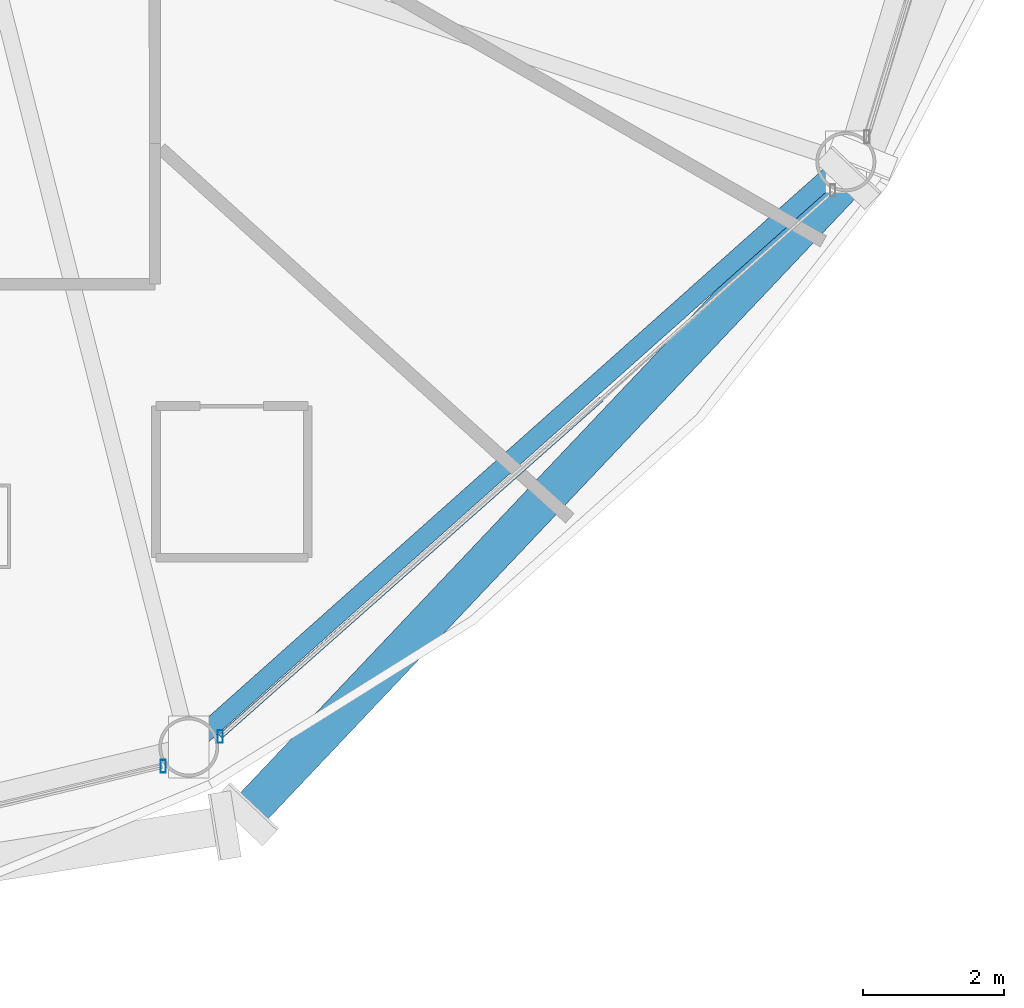
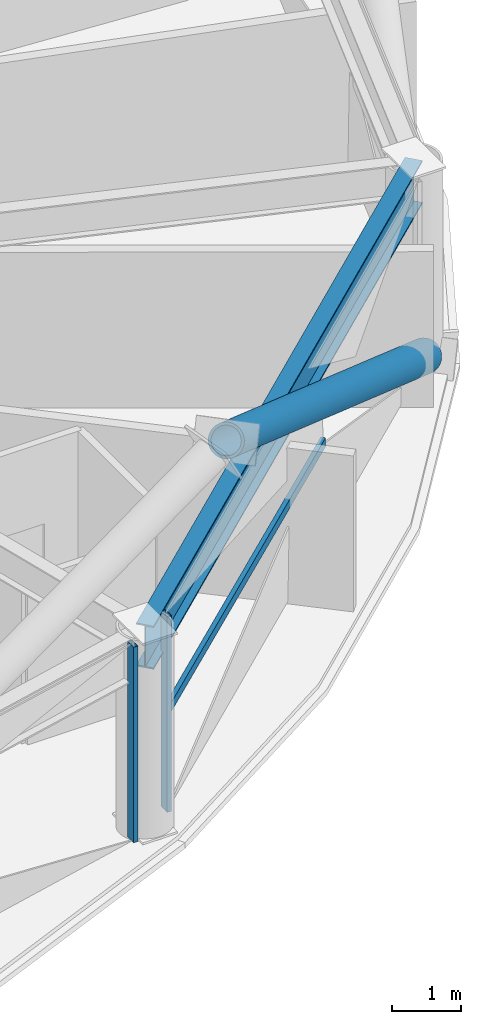
# One storey, part 8 of 31: 4 members, 1 beam, 2 elements without a shape of their own.
"""IFC4 building model written with IfcOpenShell, lengths in metres."""

from ifc_helpers import new_model, si_unit, direction, frame, origin, origin_2d, place, context, subcontext, project, spatial, hollow_rectangle, hollow_circle, i_section, extrude, material, layer, layer_set, material_profile, profile_set, type_object, element, aggregate, save


model = new_model("IFC4")

# Units and contexts
model_context = context("Model", 3, precision=1e-05, world=origin(), true_north=direction((0.0, 1.0)))
body_context = subcontext(model_context, "Body", "Model", "MODEL_VIEW")
ifc_project = project(units=[si_unit("LENGTHUNIT", "METRE"), si_unit("AREAUNIT", "SQUARE_METRE"), si_unit("VOLUMEUNIT", "CUBIC_METRE"), si_unit("PLANEANGLEUNIT", "RADIAN"), si_unit("MASSUNIT", "GRAM", prefix="KILO")], contexts=[model_context])

# Site, building, storey
site_placement = place(None, origin())
site = spatial("IfcSite", under=ifc_project, at=site_placement, CompositionType="ELEMENT")
building_placement = place(site_placement, origin())
building = spatial("IfcBuilding", under=site, at=building_placement, Name="Vantalir Tower", CompositionType="ELEMENT")
storey_placement = place(building_placement, frame((0.0, 0.0, 34.5)))
storey = spatial("IfcBuildingStorey", under=building, at=storey_placement, Name="L07", CompositionType="ELEMENT", Elevation=34.5)

# Beam
ifc_material_1 = material(Name="Steel S460", Category="steel")
ifc_material_profile_1 = material_profile(ifc_material_1, i_section(OverallWidth=0.26806640625, OverallDepth=0.77001953125, WebThickness=0.015625, FlangeThickness=0.025390625, at=origin_2d()), Name="Steel S460")
ifc_profile_set_1 = profile_set([ifc_material_profile_1], Name="Steel S460")
beam_type = type_object("IfcBeamType", Name="BM-RG-762x267", PredefinedType="USERDEFINED", material=ifc_profile_set_1)
beam_placement = place(storey_placement, frame((44.22509765625, 5.3720703125, 3.18505859375), z_axis=(0.746774014303, 0.665077868795, 0.0), x_axis=(-0.665077868795, 0.746774014303, 0.0)))
element("IfcBeam", 1, at=beam_placement, inside=storey, type_object=beam_type, Name="L07 Circumferential Ring Girder 11", ObjectType="GIRDER", PredefinedType="USERDEFINED", context=body_context, shape_type="SweptSolid", body=[
    extrude(i_section(OverallWidth=0.26806640625, OverallDepth=0.77001953125, WebThickness=0.015625, FlangeThickness=0.025390625, at=origin_2d()), origin(), (0.0, 0.0, 1.0), 12.4736328125),
])

# Curtain wall, member
ifc_material_2 = material(Name="Champagne-silver PVDF aluminium and double-silver Low-E glass", Category="aluminium")
ifc_layer = layer(ifc_material_2, 0.18994140625)
ifc_layer_set = layer_set([ifc_layer], Name="Champagne-silver PVDF aluminium and double-silver Low-E glass")
curtain_wall_type = type_object("IfcCurtainWallType", Name="CW-DIAMOND-Z1", PredefinedType="USERDEFINED", material=ifc_layer_set)
curtain_wall_1_placement = place(storey_placement, origin())
curtain_wall_1 = element("IfcCurtainWall", 2, at=curtain_wall_1_placement, inside=storey, type_object=curtain_wall_type, Name="L07 Quilted Pyramid-Diamond Curtain Wall S10", ObjectType="UNITISED CURTAIN WALL", PredefinedType="USERDEFINED")
ifc_material_3 = material(Name="Champagne-silver PVDF aluminium 6063-T6", Category="aluminium")
ifc_material_profile_2 = material_profile(ifc_material_3, hollow_rectangle(XDim=0.074951171875, YDim=0.179931640625, WallThickness=0.00390625, at=origin_2d()), Name="Champagne-silver PVDF aluminium 6063-T6")
ifc_profile_set_2 = profile_set([ifc_material_profile_2], Name="Champagne-silver PVDF aluminium 6063-T6")
member_type_1 = type_object("IfcMemberType", Name="CWM-180x75", PredefinedType="MULLION", material=ifc_profile_set_2)
member_1_placement = place(storey_placement, frame((43.863037109375, 5.09912109375, 0.044921875), z_axis=(0.0, 0.0, 1.0), x_axis=(1.0, 0.0, 0.0)))
member_1 = element("IfcMember", 3, at=member_1_placement, type_object=member_type_1, Name="CW-L07-S10 Mullion 2", PredefinedType="MULLION", context=body_context, shape_type="SweptSolid", body=[
    extrude(hollow_rectangle(XDim=0.074951171875, YDim=0.179931640625, WallThickness=0.00390625, at=origin_2d()), origin(), (0.0, 0.0, 1.0), 3.47998046875),
])
aggregate(curtain_wall_1, [member_1])

# Curtain wall, members
curtain_wall_2_placement = place(storey_placement, origin())
curtain_wall_2 = element("IfcCurtainWall", 4, at=curtain_wall_2_placement, inside=storey, type_object=curtain_wall_type, Name="L07 Quilted Pyramid-Diamond Curtain Wall S11", ObjectType="UNITISED CURTAIN WALL", PredefinedType="USERDEFINED")
member_2_placement = place(storey_placement, frame((44.6708984375, 5.52099609375, 0.044921875), z_axis=(0.0, 0.0, 1.0), x_axis=(1.0, 0.0, 0.0)))
member_2 = element("IfcMember", 5, at=member_2_placement, type_object=member_type_1, Name="CW-L07-S11 Mullion 1", PredefinedType="MULLION", context=body_context, shape_type="SweptSolid", body=[
    extrude(hollow_rectangle(XDim=0.074951171875, YDim=0.179931640625, WallThickness=0.00390625, at=origin_2d()), origin(), (0.0, 0.0, 1.0), 3.47998046875),
])
ifc_material_profile_3 = material_profile(ifc_material_3, hollow_rectangle(XDim=0.074951171875, YDim=0.159912109375, WallThickness=0.00390625, at=origin_2d()), Name="Champagne-silver PVDF aluminium 6063-T6")
ifc_profile_set_3 = profile_set([ifc_material_profile_3], Name="Champagne-silver PVDF aluminium 6063-T6")
member_type_2 = type_object("IfcMemberType", Name="CWT-160x75", PredefinedType="USERDEFINED", material=ifc_profile_set_3)
member_3_placement = place(storey_placement, frame((44.6708984375, 5.52099609375, 1.784912109375), z_axis=(0.748709088979, 0.662898710272, 0.0), x_axis=(-0.662898710272, 0.748709088979, 0.0)))
member_3 = element("IfcMember", 6, at=member_3_placement, type_object=member_type_2, Name="CW-L07-S11 Pyramid Fold Ridge Transom", ObjectType="TRANSOM", PredefinedType="USERDEFINED", context=body_context, shape_type="SweptSolid", body=[
    extrude(hollow_rectangle(XDim=0.074951171875, YDim=0.159912109375, WallThickness=0.00390625, at=origin_2d()), origin(), (0.0, 0.0, 1.0), 7.21533203125),
])
aggregate(curtain_wall_2, [member_2, member_3])

# Member
ifc_material_profile_4 = material_profile(ifc_material_1, hollow_circle(Radius=0.27001953125, WallThickness=0.044921875, at=origin_2d()), Name="Steel S460")
ifc_profile_set_4 = profile_set([ifc_material_profile_4], Name="Steel S460")
member_type_3 = type_object("IfcMemberType", Name="MEM-DB-540x45", PredefinedType="BRACE", material=ifc_profile_set_4)
member_4_placement = place(storey_placement, frame((53.572998046875, 13.43408203125, 0.18701171875), z_axis=(-0.599781300781, -0.633632997243, 0.488642626096), x_axis=(0.726240223192, -0.687441007083, 0.0)))
element("IfcMember", 7, at=member_4_placement, inside=storey, type_object=member_type_3, Name="L07 Perimeter S460 Diagrid Brace R34R", PredefinedType="BRACE", context=body_context, shape_type="SweptSolid", body=[
    extrude(hollow_circle(Radius=0.27001953125, WallThickness=0.044921875, at=origin_2d()), origin(), (0.0, 0.0, 1.0), 14.215087890625),
])

save(model, "model.ifc")
